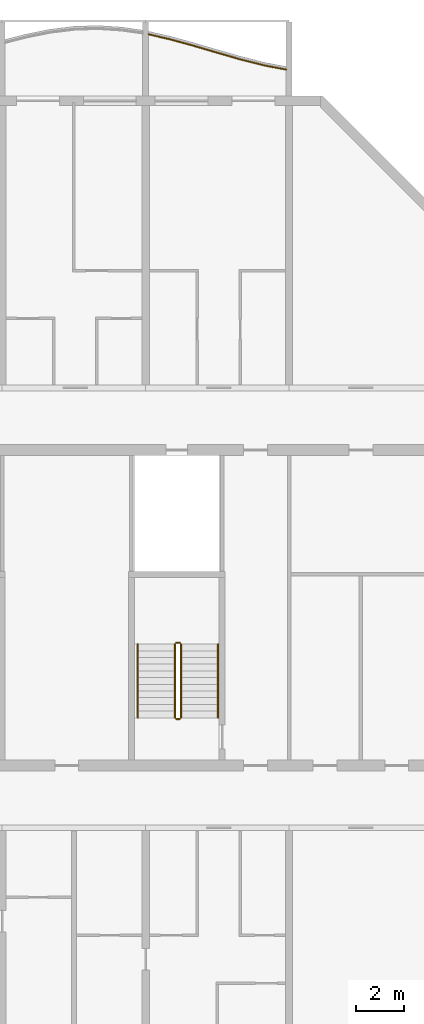
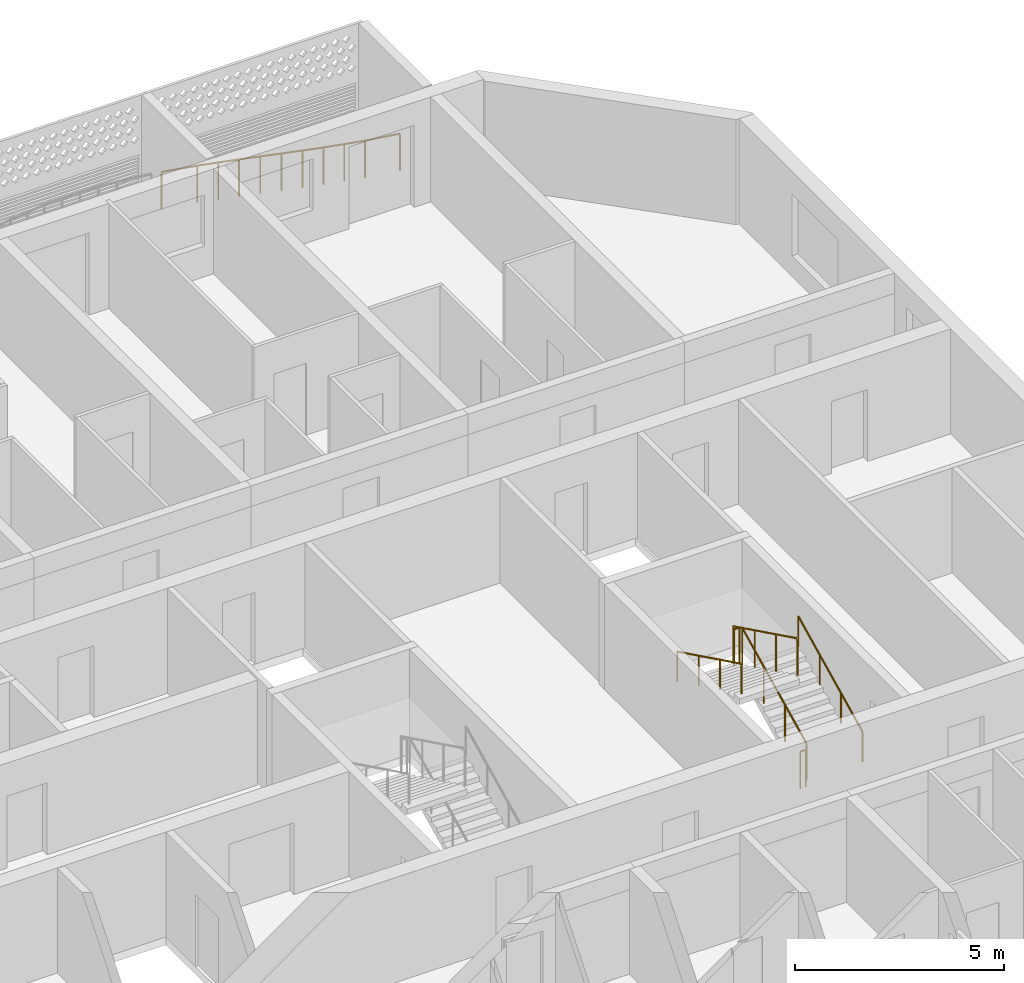
# One storey, part 30 of 31: 7 railings.
"""IFC4 building model written with IfcOpenShell, lengths in metres."""

from ifc_helpers import new_model, si_unit, direction, frame, origin, origin_2d, place, context, subcontext, project, spatial, circle, extrude, material, type_object, element, save


model = new_model("IFC4")

# Units and contexts
model_context = context("Model", 3, precision=1e-05, world=origin(), true_north=direction((0.0, 1.0)))
body_context = subcontext(model_context, "Body", "Model", "MODEL_VIEW")
ifc_project = project(units=[si_unit("LENGTHUNIT", "METRE"), si_unit("AREAUNIT", "SQUARE_METRE"), si_unit("VOLUMEUNIT", "CUBIC_METRE"), si_unit("PLANEANGLEUNIT", "RADIAN"), si_unit("MASSUNIT", "GRAM", prefix="KILO")], contexts=[model_context])

# Site, building, storey
site_placement = place(None, origin())
site = spatial("IfcSite", under=ifc_project, at=site_placement, CompositionType="ELEMENT")
building_placement = place(site_placement, origin())
building = spatial("IfcBuilding", under=site, at=building_placement, Name="Poui Terraces", CompositionType="ELEMENT")
storey_placement = place(building_placement, frame((0.0, 0.0, 145.5)))
storey = spatial("IfcBuildingStorey", under=building, at=storey_placement, Name="L40", CompositionType="ELEMENT", Elevation=145.5)

# Railings
ifc_material_1 = material(Name="Painted steel fretwork", Category="steel")
railing_type_1 = type_object("IfcRailingType", Name="BALCONY GUARD 1100", PredefinedType="GUARDRAIL", material=ifc_material_1)
railing_1_placement = place(storey_placement, frame((78.125, 45.17919921875, 0.0)))
element("IfcRailing", 1, at=railing_1_placement, inside=storey, type_object=railing_type_1, Name="BALCONY GUARD", PredefinedType="GUARDRAIL", context=body_context, shape_type="SweptSolid", body=[
    extrude(circle(Radius=0.02392578125, at=origin_2d()), frame((0.0, 0.0, 1.076171875), z_axis=(0.974752053811, -0.223290021255, 0.0), x_axis=(0.223290021255, 0.974752053811, 0.0)), (0.0, 0.0, 1.0), 0.897705078125),
    extrude(circle(Radius=0.02392578125, at=origin_2d()), frame((0.875, -0.200439453125, 1.076171875), z_axis=(0.964349713042, -0.264631122426, 0.0), x_axis=(0.264631122426, 0.964349713042, 0.0)), (0.0, 0.0, 1.0), 1.036865234375),
    extrude(circle(Radius=0.02392578125, at=origin_2d()), frame((1.875, -0.474853515625, 1.076171875), z_axis=(0.958838249952, -0.283952831346, 0.0), x_axis=(0.283952831346, 0.958838249952, 0.0)), (0.0, 0.0, 1.0), 1.04296875),
    extrude(circle(Radius=0.02392578125, at=origin_2d()), frame((2.875, -0.77099609375, 1.076171875), z_axis=(0.961168944086, -0.275960614806, 0.0), x_axis=(0.275960614806, 0.961168944086, 0.0)), (0.0, 0.0, 1.0), 1.040283203125),
    extrude(circle(Radius=0.02392578125, at=origin_2d()), frame((3.875, -1.05810546875, 1.076171875), z_axis=(0.970420587841, -0.241420551516, 0.0), x_axis=(0.241420551516, 0.970420587841, 0.0)), (0.0, 0.0, 1.0), 1.030517578125),
    extrude(circle(Radius=0.02392578125, at=origin_2d()), frame((4.875, -1.306884765625, 1.076171875), z_axis=(0.98252284804, -0.186142023945, 0.0), x_axis=(0.186142023945, 0.98252284804, 0.0)), (0.0, 0.0, 1.0), 0.890625),
    extrude(circle(Radius=0.02099609375, at=origin_2d()), origin(), (0.0, 0.0, 1.0), 1.052001953125),
    extrude(circle(Radius=0.02099609375, at=origin_2d()), frame((0.875, -0.200439453125, 0.0)), (0.0, 0.0, 1.0), 1.052001953125),
    extrude(circle(Radius=0.02099609375, at=origin_2d()), frame((1.375, -0.337646484375, 0.0)), (0.0, 0.0, 1.0), 1.052001953125),
    extrude(circle(Radius=0.02099609375, at=origin_2d()), frame((1.875, -0.474853515625, 0.0)), (0.0, 0.0, 1.0), 1.052001953125),
    extrude(circle(Radius=0.02099609375, at=origin_2d()), frame((2.375, -0.623046875, 0.0)), (0.0, 0.0, 1.0), 1.052001953125),
    extrude(circle(Radius=0.02099609375, at=origin_2d()), frame((2.875, -0.77099609375, 0.0)), (0.0, 0.0, 1.0), 1.052001953125),
    extrude(circle(Radius=0.02099609375, at=origin_2d()), frame((3.375, -0.91455078125, 0.0)), (0.0, 0.0, 1.0), 1.052001953125),
    extrude(circle(Radius=0.02099609375, at=origin_2d()), frame((3.875, -1.05810546875, 0.0)), (0.0, 0.0, 1.0), 1.052001953125),
    extrude(circle(Radius=0.02099609375, at=origin_2d()), frame((4.375, -1.1826171875, 0.0)), (0.0, 0.0, 1.0), 1.052001953125),
    extrude(circle(Radius=0.02099609375, at=origin_2d()), frame((4.875, -1.306884765625, 0.0)), (0.0, 0.0, 1.0), 1.052001953125),
    extrude(circle(Radius=0.02099609375, at=origin_2d()), frame((5.75, -1.47265625, 0.0)), (0.0, 0.0, 1.0), 1.052001953125),
])
ifc_material_2 = material(Name="Galvanised steel balustrade", Category="steel")
railing_type_2 = type_object("IfcRailingType", Name="STAIR GUARD 1100", PredefinedType="GUARDRAIL", material=ifc_material_2)
railing_2_placement = place(storey_placement, frame((79.47509765625, 16.60009765625, 0.137451171875)))
element("IfcRailing", 2, at=railing_2_placement, inside=storey, type_object=railing_type_2, Name="L40 ST-E stair guard 1", PredefinedType="GUARDRAIL", context=body_context, shape_type="SweptSolid", body=[
    extrude(circle(Radius=0.02392578125, at=origin_2d()), frame((0.0, 0.0, 1.076171875), z_axis=(0.0, 0.897606190399, 0.440798283751), x_axis=(-1.0, 0.0, 0.0)), (0.0, 0.0, 1.0), 3.43115234375),
    extrude(circle(Radius=0.02099609375, at=origin_2d()), origin(), (0.0, 0.0, 1.0), 1.052001953125),
    extrude(circle(Radius=0.02099609375, at=origin_2d()), frame((0.0, 1.026611328125, 0.504150390625)), (0.0, 0.0, 1.0), 1.052001953125),
    extrude(circle(Radius=0.02099609375, at=origin_2d()), frame((0.0, 2.05322265625, 1.00830078125)), (0.0, 0.0, 1.0), 1.052001953125),
    extrude(circle(Radius=0.02099609375, at=origin_2d()), frame((0.0, 3.079833984375, 1.512451171875)), (0.0, 0.0, 1.0), 1.052001953125),
])
railing_3_placement = place(storey_placement, frame((79.425048828125, 19.72998046875, 1.64990234375)))
element("IfcRailing", 3, at=railing_3_placement, inside=storey, type_object=railing_type_2, Name="L40 ST-E stair guard 2", PredefinedType="GUARDRAIL", context=body_context, shape_type="SweptSolid", body=[
    extrude(circle(Radius=0.02392578125, at=origin_2d()), frame((0.0, 0.0, 1.076171875), z_axis=(-1.0, 0.0, 0.0), x_axis=(0.0, -1.0, 0.0)), (0.0, 0.0, 1.0), 0.150146484375),
    extrude(circle(Radius=0.02099609375, at=origin_2d()), origin(), (0.0, 0.0, 1.0), 1.052001953125),
    extrude(circle(Radius=0.02099609375, at=origin_2d()), frame((-0.150146484375, 0.0, 0.0)), (0.0, 0.0, 1.0), 1.052001953125),
])
railing_4_placement = place(storey_placement, frame((79.22509765625, 19.679931640625, 1.78759765625)))
element("IfcRailing", 4, at=railing_4_placement, inside=storey, type_object=railing_type_2, Name="L40 ST-E stair guard 3", PredefinedType="GUARDRAIL", context=body_context, shape_type="SweptSolid", body=[
    extrude(circle(Radius=0.02392578125, at=origin_2d()), frame((0.0, 0.0, 1.076171875), z_axis=(0.0, -0.897606190399, 0.440798283751), x_axis=(1.0, 0.0, 0.0)), (0.0, 0.0, 1.0), 3.43115234375),
    extrude(circle(Radius=0.02099609375, at=origin_2d()), origin(), (0.0, 0.0, 1.0), 1.052001953125),
    extrude(circle(Radius=0.02099609375, at=origin_2d()), frame((0.0, -1.026611328125, 0.504150390625)), (0.0, 0.0, 1.0), 1.052001953125),
    extrude(circle(Radius=0.02099609375, at=origin_2d()), frame((0.0, -2.05322265625, 1.00830078125)), (0.0, 0.0, 1.0), 1.052001953125),
    extrude(circle(Radius=0.02099609375, at=origin_2d()), frame((0.0, -3.079833984375, 1.512451171875)), (0.0, 0.0, 1.0), 1.052001953125),
])
railing_5_placement = place(storey_placement, frame((79.425048828125, 16.550048828125, 0.0)))
element("IfcRailing", 5, at=railing_5_placement, inside=storey, type_object=railing_type_2, Name="L40 ST-E stair guard 4", PredefinedType="GUARDRAIL", context=body_context, shape_type="SweptSolid", body=[
    extrude(circle(Radius=0.02392578125, at=origin_2d()), frame((0.0, 0.0, 1.076171875), z_axis=(-1.0, 0.0, 0.0), x_axis=(0.0, -1.0, 0.0)), (0.0, 0.0, 1.0), 0.150146484375),
    extrude(circle(Radius=0.02099609375, at=origin_2d()), origin(), (0.0, 0.0, 1.0), 1.052001953125),
    extrude(circle(Radius=0.02099609375, at=origin_2d()), frame((-0.150146484375, 0.0, 0.0)), (0.0, 0.0, 1.0), 1.052001953125),
])
ifc_material_3 = material(Name="Stainless steel handrail", Category="steel")
railing_type_3 = type_object("IfcRailingType", Name="STAIR HANDRAIL 900", PredefinedType="HANDRAIL", material=ifc_material_3)
railing_6_placement = place(storey_placement, frame((81.02490234375, 16.60009765625, 0.137451171875)))
element("IfcRailing", 6, at=railing_6_placement, inside=storey, type_object=railing_type_3, Name="L40 ST-E stair handrail 1", PredefinedType="HANDRAIL", context=body_context, shape_type="SweptSolid", body=[
    extrude(circle(Radius=0.02392578125, at=origin_2d()), frame((0.0, 0.0, 0.8759765625), z_axis=(0.0, 0.897606190399, 0.440798283751), x_axis=(-1.0, 0.0, 0.0)), (0.0, 0.0, 1.0), 3.43115234375),
    extrude(circle(Radius=0.02099609375, at=origin_2d()), origin(), (0.0, 0.0, 1.0), 0.851806640625),
    extrude(circle(Radius=0.02099609375, at=origin_2d()), frame((0.0, 1.026611328125, 0.504150390625)), (0.0, 0.0, 1.0), 0.851806640625),
    extrude(circle(Radius=0.02099609375, at=origin_2d()), frame((0.0, 2.05322265625, 1.00830078125)), (0.0, 0.0, 1.0), 0.851806640625),
    extrude(circle(Radius=0.02099609375, at=origin_2d()), frame((0.0, 3.079833984375, 1.512451171875)), (0.0, 0.0, 1.0), 0.851806640625),
])
railing_7_placement = place(storey_placement, frame((77.675048828125, 19.679931640625, 1.78759765625)))
element("IfcRailing", 7, at=railing_7_placement, inside=storey, type_object=railing_type_3, Name="L40 ST-E stair handrail 2", PredefinedType="HANDRAIL", context=body_context, shape_type="SweptSolid", body=[
    extrude(circle(Radius=0.02392578125, at=origin_2d()), frame((0.0, 0.0, 0.8759765625), z_axis=(0.0, -0.897606190399, 0.440798283751), x_axis=(1.0, 0.0, 0.0)), (0.0, 0.0, 1.0), 3.43115234375),
    extrude(circle(Radius=0.02099609375, at=origin_2d()), origin(), (0.0, 0.0, 1.0), 0.851806640625),
    extrude(circle(Radius=0.02099609375, at=origin_2d()), frame((0.0, -1.026611328125, 0.504150390625)), (0.0, 0.0, 1.0), 0.851806640625),
    extrude(circle(Radius=0.02099609375, at=origin_2d()), frame((0.0, -2.05322265625, 1.00830078125)), (0.0, 0.0, 1.0), 0.851806640625),
    extrude(circle(Radius=0.02099609375, at=origin_2d()), frame((0.0, -3.079833984375, 1.512451171875)), (0.0, 0.0, 1.0), 0.851806640625),
])

save(model, "model.ifc")
